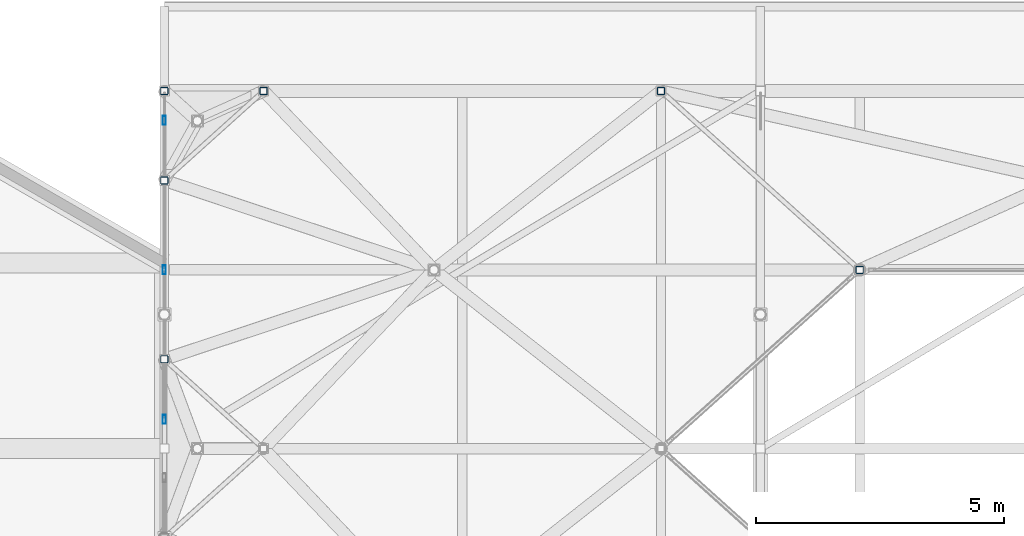
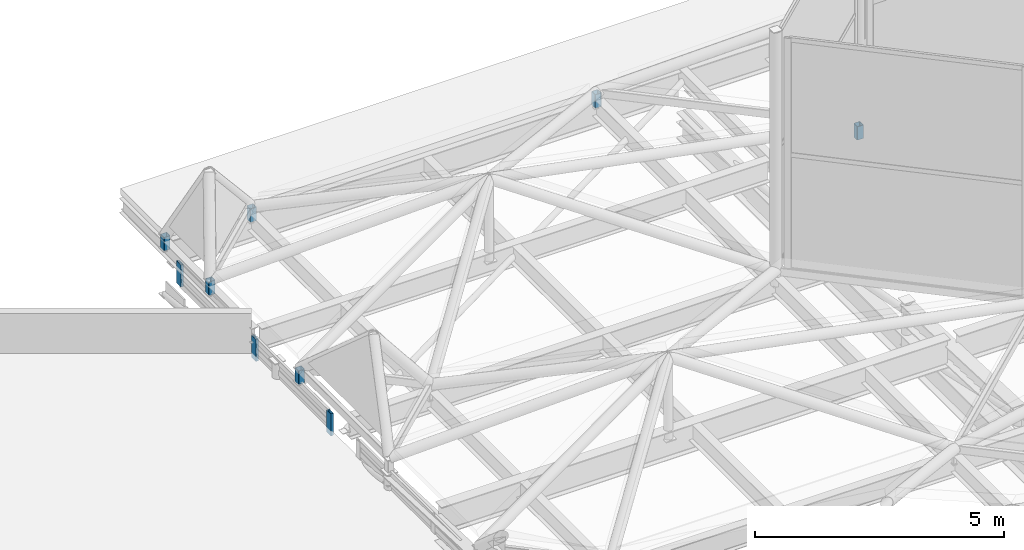
# One storey, part 199 of 239: 9 members, 1 element without a shape of its own.
"""IFC4 building model written with IfcOpenShell, lengths in metres."""

from ifc_helpers import new_model, si_unit, direction, frame, origin, origin_2d, place, context, subcontext, project, spatial, hollow_rectangle, extrude, material, layer, layer_set, material_profile, profile_set, type_object, element, aggregate, save


model = new_model("IFC4")

# Units and contexts
model_context = context("Model", 3, precision=1e-05, world=origin(), true_north=direction((0.0, 1.0)))
body_context = subcontext(model_context, "Body", "Model", "MODEL_VIEW")
ifc_project = project(units=[si_unit("LENGTHUNIT", "METRE"), si_unit("AREAUNIT", "SQUARE_METRE"), si_unit("VOLUMEUNIT", "CUBIC_METRE"), si_unit("PLANEANGLEUNIT", "RADIAN"), si_unit("MASSUNIT", "GRAM", prefix="KILO")], contexts=[model_context])

# Site, building, storey
site_placement = place(None, origin())
site = spatial("IfcSite", under=ifc_project, at=site_placement, CompositionType="ELEMENT")
building_placement = place(site_placement, origin())
building = spatial("IfcBuilding", under=site, at=building_placement, Name="Dunvalen Ferry Terminal", CompositionType="ELEMENT")
storey_placement = place(building_placement, frame((0.0, 0.0, 9.840087890625)))
storey = spatial("IfcBuildingStorey", under=building, at=storey_placement, Name="L02", CompositionType="ELEMENT", Elevation=9.840087890625)

# Curtain wall, members
ifc_material_1 = material(Name="Anodised marine aluminium and solar-control glazing", Category="aluminium")
ifc_layer = layer(ifc_material_1, 0.219970703125, Name="Anodised marine aluminium and solar-control glazing")
ifc_layer_set = layer_set([ifc_layer], Name="Anodised marine aluminium and solar-control glazing")
curtain_wall_type = type_object("IfcCurtainWallType", Name="ENV-CW-SYS-04", PredefinedType="NOTDEFINED", material=ifc_layer_set)
curtain_wall_placement = place(storey_placement, origin())
curtain_wall = element("IfcCurtainWall", 1, at=curtain_wall_placement, inside=storey, type_object=curtain_wall_type, Name="L02 Curtain Wall CW-V1W-CLR-05", PredefinedType="NOTDEFINED")
ifc_material_2 = material(Name="Anodised marine aluminium EN AW-6063 T6", Category="aluminium")
ifc_material_profile_1 = material_profile(ifc_material_2, hollow_rectangle(XDim=0.06005859375, YDim=0.179931640625, WallThickness=0.00341796875, InnerFilletRadius=0.00341796875, OuterFilletRadius=0.007080078125, at=origin_2d()), Name="Anodised marine aluminium EN AW-6063 T6")
ifc_profile_set_1 = profile_set([ifc_material_profile_1], Name="Anodised marine aluminium EN AW-6063 T6")
member_type_1 = type_object("IfcMemberType", Name="ENV-CW-MUL-2", PredefinedType="MULLION", material=ifc_profile_set_1)
member_1_placement = place(storey_placement, frame((12.0, 79.7900390625, 0.239990234375), z_axis=(0.0, 0.0, 1.0), x_axis=(-1.0, 0.0, 0.0)))
member_1 = element("IfcMember", 2, at=member_1_placement, type_object=member_type_1, Name="CW-04 mullion 1", PredefinedType="MULLION", context=body_context, shape_type="SweptSolid", body=[
    extrude(hollow_rectangle(XDim=0.06005859375, YDim=0.179931640625, WallThickness=0.00341796875, InnerFilletRadius=0.00341796875, OuterFilletRadius=0.007080078125, at=origin_2d()), origin(), (0.0, 0.0, 1.0), 0.5400390625),
])
member_2_placement = place(storey_placement, frame((12.0, 82.800048828125, 0.239990234375), z_axis=(0.0, 0.0, 1.0), x_axis=(-1.0, 0.0, 0.0)))
member_2 = element("IfcMember", 3, at=member_2_placement, type_object=member_type_1, Name="CW-04 mullion 2", PredefinedType="MULLION", context=body_context, shape_type="SweptSolid", body=[
    extrude(hollow_rectangle(XDim=0.06005859375, YDim=0.179931640625, WallThickness=0.00341796875, InnerFilletRadius=0.00341796875, OuterFilletRadius=0.007080078125, at=origin_2d()), origin(), (0.0, 0.0, 1.0), 0.5400390625),
])
member_3_placement = place(storey_placement, frame((12.0, 85.81005859375, 0.239990234375), z_axis=(0.0, 0.0, 1.0), x_axis=(-1.0, 0.0, 0.0)))
member_3 = element("IfcMember", 4, at=member_3_placement, type_object=member_type_1, Name="CW-04 mullion 3", PredefinedType="MULLION", context=body_context, shape_type="SweptSolid", body=[
    extrude(hollow_rectangle(XDim=0.06005859375, YDim=0.179931640625, WallThickness=0.00341796875, InnerFilletRadius=0.00341796875, OuterFilletRadius=0.007080078125, at=origin_2d()), origin(), (0.0, 0.0, 1.0), 0.5400390625),
])
aggregate(curtain_wall, [member_1, member_2, member_3])

# Members
ifc_material_3 = material(Name="Steel S355", Category="steel")
ifc_material_profile_2 = material_profile(ifc_material_3, hollow_rectangle(XDim=0.14990234375, YDim=0.14990234375, WallThickness=0.008056640625, InnerFilletRadius=0.008056640625, OuterFilletRadius=0.01611328125, at=origin_2d()), Name="Steel S355")
ifc_profile_set_2 = profile_set([ifc_material_profile_2], Name="Steel S355")
member_type_2 = type_object("IfcMemberType", Name="STR-MB-SHS150", PredefinedType="BRACE", material=ifc_profile_set_2)
for number, where, z_axis, x_axis, name in (
    (5, (12.0, 81.0, 0.77001953125), (0.0, 0.0, 1.0), (1.0, 0.0, 0.0), "HEX-05 Rim Pedestal Strut 3"),
    (6, (12.0, 86.39990234375, 0.77001953125), (0.0, 0.0, 1.0), (1.0, 0.0, 0.0), "HEX-06 Rim Pedestal Strut 1"),
    (7, (12.0, 84.60009765625, 0.77001953125), (0.0, 0.0, 1.0), (1.0, 0.0, 0.0), "HEX-06 Rim Pedestal Strut 2"),
    (8, (14.0, 86.39990234375, 0.77001953125), (0.0, 0.0, 1.0), (1.0, 0.0, 0.0), "HEX-06 Rim Pedestal Strut 3"),
    (9, (26.0, 82.800048828125, 0.77001953125), (0.0, 0.0, 1.0), (1.0, 0.0, 0.0), "HEX-11 Rim Pedestal Strut 5"),
    (10, (22.0, 86.39990234375, 0.77001953125), (0.0, 0.0, 1.0), (1.0, 0.0, 0.0), "HEX-11 Rim Pedestal Strut 6"),
):
    element("IfcMember", number, at=place(storey_placement, frame(where, z_axis=z_axis, x_axis=x_axis)), inside=storey, type_object=member_type_2, Name=name, PredefinedType="BRACE", context=body_context, shape_type="SweptSolid", body=[
        extrude(hollow_rectangle(XDim=0.14990234375, YDim=0.14990234375, WallThickness=0.008056640625, InnerFilletRadius=0.008056640625, OuterFilletRadius=0.01611328125, at=origin_2d()), origin(), (0.0, 0.0, 1.0), 0.329833984375),
    ])

save(model, "model.ifc")
